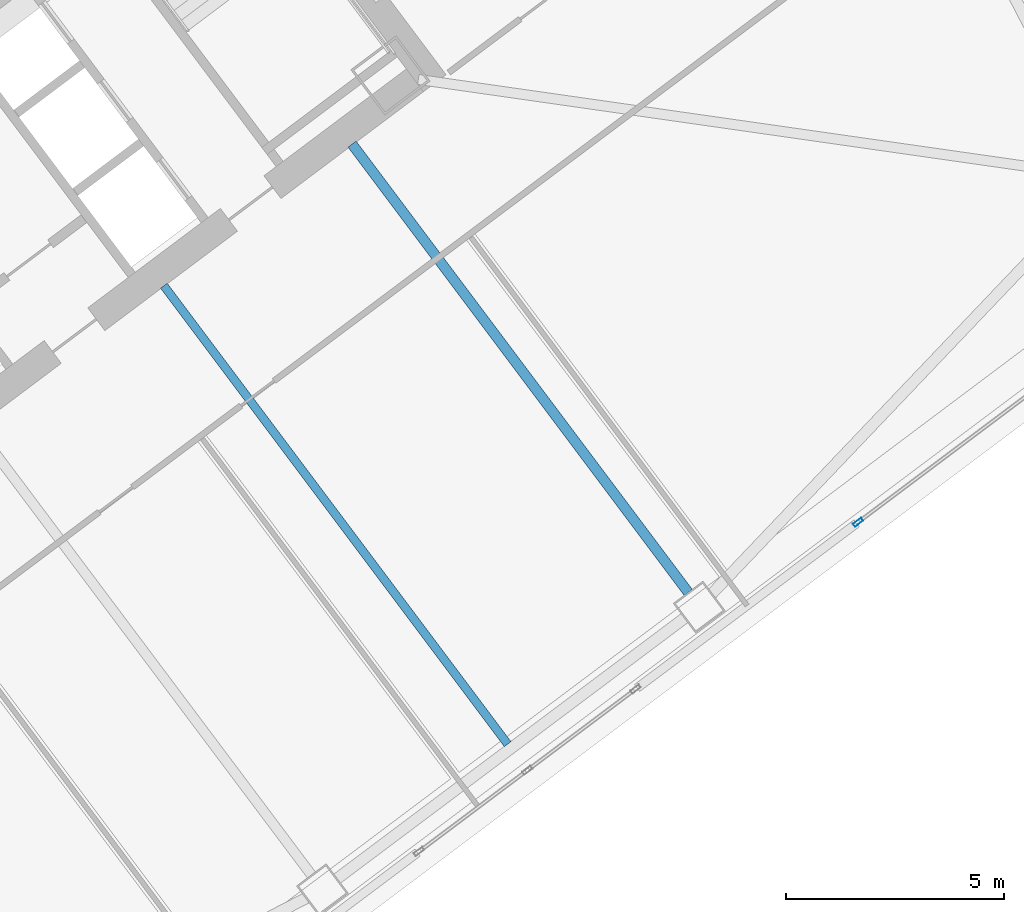
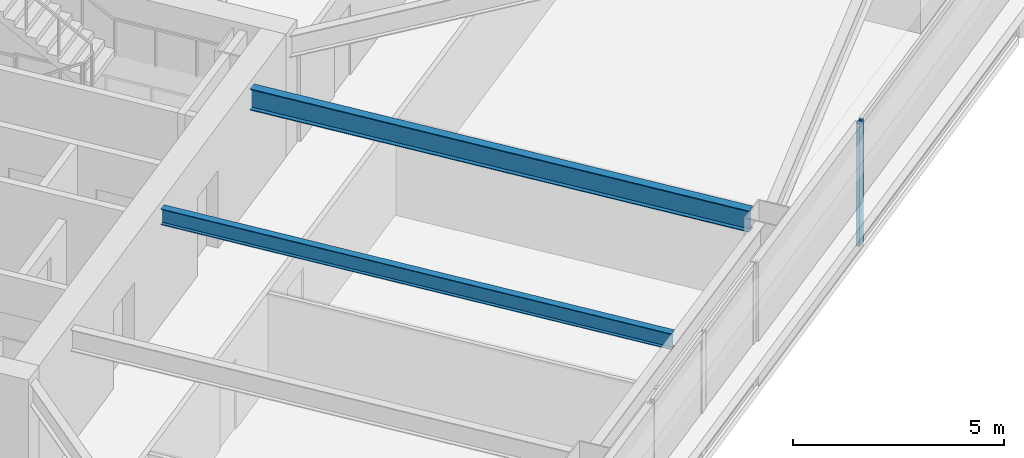
# One storey, part 23 of 46: 2 beams, 1 member, 1 element without a shape of its own.
"""IFC4 building model written with IfcOpenShell, lengths in metres."""

from ifc_helpers import new_model, si_unit, direction, frame, origin, origin_2d, place, context, subcontext, project, spatial, hollow_rectangle, i_section, extrude, material, material_profile, profile_set, type_object, element, aggregate, save


model = new_model("IFC4")

# Units and contexts
model_context = context("Model", 3, precision=1e-05, world=origin(), true_north=direction((0.0, 1.0)))
body_context = subcontext(model_context, "Body", "Model", "MODEL_VIEW")
ifc_project = project(units=[si_unit("LENGTHUNIT", "METRE"), si_unit("AREAUNIT", "SQUARE_METRE"), si_unit("VOLUMEUNIT", "CUBIC_METRE"), si_unit("PLANEANGLEUNIT", "RADIAN"), si_unit("MASSUNIT", "GRAM", prefix="KILO")], contexts=[model_context])

# Site, building, storey
site_placement = place(None, origin())
site = spatial("IfcSite", under=ifc_project, at=site_placement, CompositionType="ELEMENT")
building_placement = place(site_placement, origin())
building = spatial("IfcBuilding", under=site, at=building_placement, Name="Tashvorn Skyway Center", CompositionType="ELEMENT")
storey_placement = place(building_placement, frame((0.0, 0.0, 38.800048828125)))
storey = spatial("IfcBuildingStorey", under=building, at=storey_placement, Name="L09", CompositionType="ELEMENT", Elevation=38.800048828125)

# Beams
ifc_material_1 = material(Name="Steel ASTM A992 Grade 50", Category="steel")
ifc_material_profile_1 = material_profile(ifc_material_1, i_section(OverallWidth=0.22998046875, OverallDepth=0.616943359375, WebThickness=0.01318359375, FlangeThickness=0.022216796875, at=origin_2d()), Name="W24X94")
ifc_profile_set_1 = profile_set([ifc_material_profile_1], Name="Steel ASTM A992 Grade 50")
beam_type_1 = type_object("IfcBeamType", Name="BM-BEAM-W24X94", PredefinedType="BEAM", material=ifc_profile_set_1)
beam_1_placement = place(storey_placement, frame((130.697998046875, 18.736083984375, 3.04150390625), z_axis=(-0.599996960112, 0.800002279907, 0.0), x_axis=(-0.800002279907, -0.599996960112, 0.0)))
element("IfcBeam", 1, at=beam_1_placement, inside=storey, type_object=beam_type_1, Name="Tower 2 L09 Primary Floor Girder FC-S2", PredefinedType="BEAM", context=body_context, shape_type="SweptSolid", body=[
    extrude(i_section(OverallWidth=0.22998046875, OverallDepth=0.616943359375, WebThickness=0.01318359375, FlangeThickness=0.022216796875, at=origin_2d()), origin(), (0.0, 0.0, 1.0), 12.85009765625),
])
ifc_material_profile_2 = material_profile(ifc_material_1, i_section(OverallWidth=0.19091796875, OverallDepth=0.4599609375, WebThickness=0.010009765625, FlangeThickness=0.01611328125, at=origin_2d()), Name="W18X55")
ifc_profile_set_2 = profile_set([ifc_material_profile_2], Name="Steel ASTM A992 Grade 50")
beam_type_2 = type_object("IfcBeamType", Name="BM-JOIST-W18X55", PredefinedType="JOIST", material=ifc_profile_set_2)
beam_2_placement = place(storey_placement, frame((118.674072265625, 25.76806640625, 3.119873046875), z_axis=(0.600002972791, -0.799997770398, 0.0), x_axis=(0.799997770398, 0.600002972791, 0.0)))
element("IfcBeam", 2, at=beam_2_placement, inside=storey, type_object=beam_type_2, Name="Tower 2 L09 Secondary Composite Joist JS", PredefinedType="JOIST", context=body_context, shape_type="SweptSolid", body=[
    extrude(i_section(OverallWidth=0.19091796875, OverallDepth=0.4599609375, WebThickness=0.010009765625, FlangeThickness=0.01611328125, at=origin_2d()), origin(), (0.0, 0.0, 1.0), 13.139892578125),
])

# Curtain wall, member
ifc_material_2 = material(Name="Thermally broken bronze-anodized aluminium 6063-T6", Category="aluminium")
curtain_wall_type = type_object("IfcCurtainWallType", Name="CW-CW-Z1", PredefinedType="NOTDEFINED", material=ifc_material_2)
curtain_wall_placement = place(storey_placement, origin())
curtain_wall = element("IfcCurtainWall", 3, at=curtain_wall_placement, inside=storey, type_object=curtain_wall_type, Name="Tower 2 L09 South Unitised Curtain Wall Glazing Group 1", PredefinedType="NOTDEFINED")
ifc_material_profile_3 = material_profile(ifc_material_2, hollow_rectangle(XDim=0.0849609375, YDim=0.239990234375, WallThickness=0.0048828125, at=origin_2d()), Name="ALU-MULL-85x240")
ifc_profile_set_3 = profile_set([ifc_material_profile_3], Name="Thermally broken bronze-anodized aluminium 6063-T6")
member_type = type_object("IfcMemberType", Name="CWM-CW-Z1", PredefinedType="MULLION", material=ifc_profile_set_3)
member_placement = place(storey_placement, frame((134.593994140625, 20.345458984375, 0.0), z_axis=(0.0, 0.0, 1.0), x_axis=(0.600000000002, -0.799999999998, 0.0)))
member = element("IfcMember", 4, at=member_placement, type_object=member_type, Name="CW-Z1 mullion 2", PredefinedType="MULLION", context=body_context, shape_type="SweptSolid", body=[
    extrude(hollow_rectangle(XDim=0.0849609375, YDim=0.239990234375, WallThickness=0.0048828125, at=origin_2d()), origin(), (0.0, 0.0, 1.0), 3.550048828125),
])
aggregate(curtain_wall, [member])

save(model, "model.ifc")
